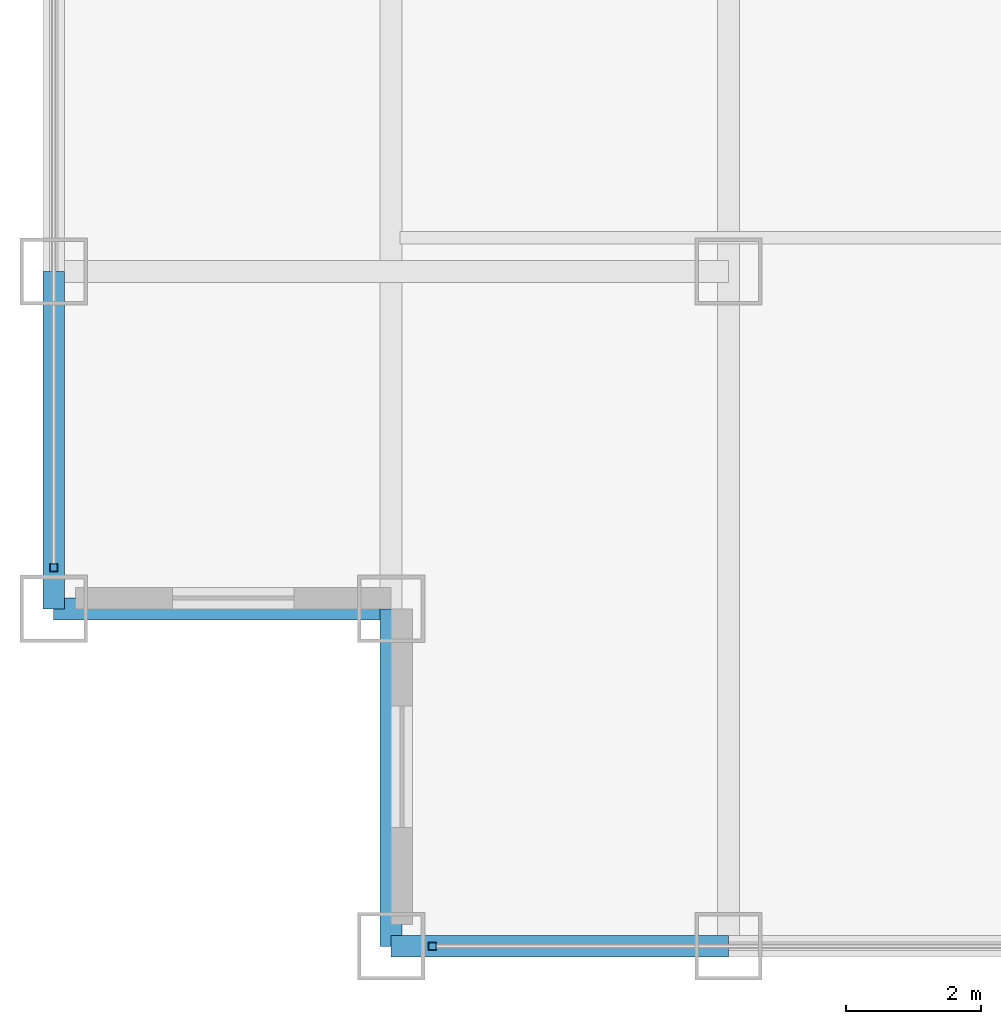
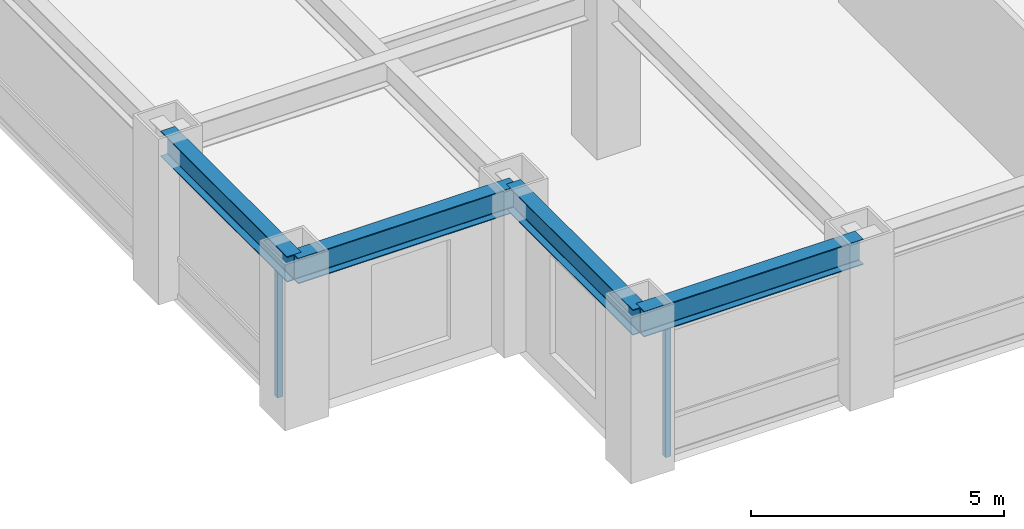
# One storey, part 2 of 25: 4 beams, 2 members, 2 elements without a shape of their own.
"""IFC4 building model written with IfcOpenShell, lengths in metres."""

import ifcopenshell
import ifcopenshell.guid

model = None  # the IFC model being written
_history = None  # IfcOwnerHistory: only IFC2X3 demands one
_inside = {}  # id of a spatial element -> (the spatial element, [elements in it])
_under = {}  # id of a project, library or spatial element -> (it, [spatial elements below it])
_declared = {}  # id of a project -> (the project, [libraries it declares])
_typed = {}  # id of a type object -> (the type object, [elements of that type])
_made_of = {}  # id of a material, layer set ... -> (it, [elements and type objects made of it])


def new_model(schema):
    """Start an empty IFC model of exactly this schema.

    Asked for "IFC4X3", IfcOpenShell would pick the latest addendum, in which some entities
    have other attributes; the version numbers below select the first issue.
    IFC2X3 requires an IfcOwnerHistory on every rooted entity: one is made here for all.
    """
    global model, _history
    if schema == "IFC4X3":
        model = ifcopenshell.file(schema_version=(4, 3, 0, 0))
    else:
        model = ifcopenshell.file(schema=schema)
    _inside.clear()
    _under.clear()
    _declared.clear()
    _typed.clear()
    _made_of.clear()
    _history = None
    if model.schema == "IFC2X3":
        org = make("IfcOrganization", Name="unknown")
        user = make(
            "IfcPersonAndOrganization",
            ThePerson=make("IfcPerson", FamilyName="unknown"),
            TheOrganization=org,
        )
        app = make(
            "IfcApplication",
            ApplicationDeveloper=org,
            Version="unknown",
            ApplicationFullName="unknown",
            ApplicationIdentifier="unknown",
        )
        _history = make(
            "IfcOwnerHistory",
            OwningUser=user,
            OwningApplication=app,
            ChangeAction="ADDED",
            CreationDate=0,
        )
    return model


def make(cls, **values):
    """One entity of the class cls with the attributes given. An attribute that is None is left unset."""
    return model.create_entity(
        cls, **{name: value for name, value in values.items() if value is not None}
    )


def rooted(cls, **values):
    """An entity with a GlobalId (a new one), such as an element, a storey or a relation."""
    return make(cls, GlobalId=ifcopenshell.guid.new(), OwnerHistory=_history, **values)


def si_unit(unit_type, name, prefix=None):
    """IfcSIUnit, for example si_unit("LENGTHUNIT", "METRE", prefix="MILLI")."""
    return make("IfcSIUnit", UnitType=unit_type, Prefix=prefix, Name=name)


def assignment(units):
    """IfcUnitAssignment: the units of a project."""
    return None if units is None else make("IfcUnitAssignment", Units=units)


def point(xyz):
    """IfcCartesianPoint."""
    return None if xyz is None else make("IfcCartesianPoint", Coordinates=xyz)


def direction(xyz):
    """IfcDirection."""
    return None if xyz is None else make("IfcDirection", DirectionRatios=xyz)


def frame(location, z_axis=None, x_axis=None):
    """IfcAxis2Placement3D, a coordinate frame: its origin and axes. An axis left out is left unset."""
    return make(
        "IfcAxis2Placement3D",
        Location=point(location),
        Axis=direction(z_axis),
        RefDirection=direction(x_axis),
    )


def frame_2d(location, x_axis=None):
    """IfcAxis2Placement2D, a coordinate frame in the plane: its origin and x axis."""
    return make(
        "IfcAxis2Placement2D", Location=point(location), RefDirection=direction(x_axis)
    )


def origin():
    """The frame at (0, 0, 0) with its axes left unset."""
    return frame((0.0, 0.0, 0.0))


def origin_2d():
    """The frame at (0, 0) in the plane with its x axis left unset."""
    return frame_2d((0.0, 0.0))


def place(relative_to, where):
    """IfcLocalPlacement: puts the frame where relative to a parent placement (None: the world)."""
    return make(
        "IfcLocalPlacement", PlacementRelTo=relative_to, RelativePlacement=where
    )


def context(
    kind, dimensions, precision=None, world=None, true_north=None, identifier=None
):
    """IfcGeometricRepresentationContext, for example the 3D "Model" context."""
    return make(
        "IfcGeometricRepresentationContext",
        ContextIdentifier=identifier,
        ContextType=kind,
        CoordinateSpaceDimension=dimensions,
        Precision=precision,
        WorldCoordinateSystem=world,
        TrueNorth=true_north,
    )


def subcontext(parent, identifier, kind, view, scale=None):
    """IfcGeometricRepresentationSubContext, for example "Body" below "Model"."""
    return make(
        "IfcGeometricRepresentationSubContext",
        ContextIdentifier=identifier,
        ContextType=kind,
        ParentContext=parent,
        TargetScale=scale,
        TargetView=view,
    )


def project(units=None, contexts=None):
    """IfcProject with its units and contexts."""
    return rooted(
        "IfcProject",
        Name="project",
        RepresentationContexts=contexts,
        UnitsInContext=assignment(units),
    )


def spatial(cls, under=None, at=None, **own):
    """A site, building, storey or space (cls), placed at a placement, below another one or the project."""
    s = rooted(cls, ObjectPlacement=at, **own)
    if under is not None:
        _under.setdefault(under.id(), (under, []))[1].append(s)
    return s


def profile(cls, at=None, kind="AREA", **sizes):
    """A parametric profile (cls). Its sizes go by their IFC names, for example OverallWidth=200.0."""
    return make(cls, ProfileType=kind, Position=at, **sizes)


def hollow_rectangle(**sizes):
    """IfcRectangleHollowProfileDef."""
    return profile("IfcRectangleHollowProfileDef", **sizes)


def i_section(**sizes):
    """IfcIShapeProfileDef."""
    return profile("IfcIShapeProfileDef", **sizes)


def extrude(swept, where, along, depth):
    """IfcExtrudedAreaSolid: the profile swept, set in the frame where, extruded along a direction by depth."""
    return make(
        "IfcExtrudedAreaSolid",
        SweptArea=swept,
        Position=where,
        ExtrudedDirection=direction(along),
        Depth=depth,
    )


def shape(context_of_items, identifier, shape_type, items):
    """IfcShapeRepresentation: the items that make up one representation, for example the "Body"."""
    return make(
        "IfcShapeRepresentation",
        ContextOfItems=context_of_items,
        RepresentationIdentifier=identifier,
        RepresentationType=shape_type,
        Items=items,
    )


def source(mapping_origin, context_of_items, identifier, shape_type, items):
    """IfcRepresentationMap: a shape defined once, which mapped items show again and again."""
    return make(
        "IfcRepresentationMap",
        MappingOrigin=mapping_origin,
        MappedRepresentation=shape(context_of_items, identifier, shape_type, items),
    )


def transform(
    local_origin,
    x_axis=None,
    y_axis=None,
    z_axis=None,
    scale=None,
    scale2=None,
    scale3=None,
    uniform=True,
):
    """IfcCartesianTransformationOperator3D, or its non-uniform kind. x_axis, y_axis, z_axis: its Axis1, 2, 3."""
    if uniform:
        return make(
            "IfcCartesianTransformationOperator3D",
            Axis1=direction(x_axis),
            Axis2=direction(y_axis),
            LocalOrigin=point(local_origin),
            Scale=scale,
            Axis3=direction(z_axis),
        )
    return make(
        "IfcCartesianTransformationOperator3DnonUniform",
        Axis1=direction(x_axis),
        Axis2=direction(y_axis),
        LocalOrigin=point(local_origin),
        Scale=scale,
        Axis3=direction(z_axis),
        Scale2=scale2,
        Scale3=scale3,
    )


def mapped(mapping_source, mapping_target):
    """IfcMappedItem: shows the shape of a source again, moved by a transform."""
    return make(
        "IfcMappedItem", MappingSource=mapping_source, MappingTarget=mapping_target
    )


def material(Name=None, Category=None):
    """IfcMaterial."""
    return make("IfcMaterial", Name=Name, Category=Category)


def material_profile(
    of_material, cross_section, Name=None, Category=None, Priority=None
):
    """IfcMaterialProfile: a cross section and its material."""
    return make(
        "IfcMaterialProfile",
        Name=Name,
        Material=of_material,
        Profile=cross_section,
        Priority=Priority,
        Category=Category,
    )


def profile_set(profiles, Name=None, composite=None):
    """IfcMaterialProfileSet."""
    return make(
        "IfcMaterialProfileSet",
        Name=Name,
        MaterialProfiles=profiles,
        CompositeProfile=composite,
    )


def made_of(thing, what):
    """Note that an element or type object is made of a material, layer set ...; save() writes the relation."""
    if what is not None:
        _made_of.setdefault(what.id(), (what, []))[1].append(thing)
    return thing


def type_object(cls, material=None, **own):
    """A type object (cls), such as IfcWallType, which elements share."""
    return made_of(rooted(cls, **own), material)


def element(
    cls,
    number,
    at=None,
    inside=None,
    cuts=None,
    type_object=None,
    material=None,
    context=None,
    identifier="Body",
    shape_type=None,
    held_by="IfcProductDefinitionShape",
    body=None,
    shapes=None,
    **own,
):
    """One element of the class cls, such as IfcWall. Its Tag is "e" and its number.

    at: its placement. inside: the storey or other place that contains it. cuts: it is an
    opening in that element (IfcRelVoidsElement). A single representation is given by context,
    identifier, shape_type and body (its items); several are given by shapes. held_by: the class
    of the entity that holds the representations. save() writes the other relations.
    """
    e = rooted(cls, Tag="e%d" % number, ObjectPlacement=at, **own)
    if body is not None:
        shapes = [shape(context, identifier, shape_type, body)]
    if shapes is not None:
        e.Representation = make(held_by, Representations=shapes)
    if inside is not None:
        _inside.setdefault(inside.id(), (inside, []))[1].append(e)
    if cuts is not None:
        rooted(
            "IfcRelVoidsElement", RelatingBuildingElement=cuts, RelatedOpeningElement=e
        )
    if type_object is not None:
        _typed.setdefault(type_object.id(), (type_object, []))[1].append(e)
    return made_of(e, material)


def aggregate(whole, parts):
    """IfcRelAggregates: a whole, such as a stair, and the parts it consists of."""
    return rooted("IfcRelAggregates", RelatingObject=whole, RelatedObjects=parts)


def save(model, path):
    """Write the relations noted so far, then the file.

    IfcRelAggregates (storeys below a building ...), IfcRelContainedInSpatialStructure (elements
    in a storey), IfcRelDefinesByType, IfcRelAssociatesMaterial and IfcRelDeclares: one each for
    every whole, place, type object, material and project.
    """
    for whole, parts in _under.values():
        aggregate(whole, parts)
    for where, things in _inside.values():
        rooted(
            "IfcRelContainedInSpatialStructure",
            RelatedElements=things,
            RelatingStructure=where,
        )
    for kind, things in _typed.values():
        rooted("IfcRelDefinesByType", RelatedObjects=things, RelatingType=kind)
    for what, things in _made_of.values():
        rooted("IfcRelAssociatesMaterial", RelatedObjects=things, RelatingMaterial=what)
    for by, libraries in _declared.values():
        rooted("IfcRelDeclares", RelatingContext=by, RelatedDefinitions=libraries)
    model.write(path)


model = new_model("IFC4")

# Units and contexts
model_context = context("Model", 3, precision=1e-05, world=origin(), true_north=direction((0.0, 1.0)))
body_context = subcontext(model_context, "Body", "Model", "MODEL_VIEW")
ifc_project = project(units=[si_unit("LENGTHUNIT", "METRE"), si_unit("AREAUNIT", "SQUARE_METRE"), si_unit("VOLUMEUNIT", "CUBIC_METRE"), si_unit("PLANEANGLEUNIT", "RADIAN"), si_unit("MASSUNIT", "GRAM", prefix="KILO")], contexts=[model_context])

# Site, building, storey
site_placement = place(None, origin())
site = spatial("IfcSite", under=ifc_project, at=site_placement, CompositionType="ELEMENT")
building_placement = place(site_placement, origin())
building = spatial("IfcBuilding", under=site, at=building_placement, Name="Khorayat Bourse Tower", CompositionType="ELEMENT")
storey_placement = place(building_placement, frame((0.0, 0.0, 251.10009765625)))
storey = spatial("IfcBuildingStorey", under=building, at=storey_placement, Name="L59", CompositionType="ELEMENT", Elevation=251.10009765625)

# Beams
ifc_material_1 = material(Name="Steel ASTM A992 Grade 50", Category="steel")
ifc_material_profile_1 = material_profile(ifc_material_1, i_section(OverallWidth=0.324951171875, OverallDepth=0.615966796875, WebThickness=0.013916015625, FlangeThickness=0.021484375, FilletRadius=0.01611328125, at=origin_2d()), Name="W610X174")
ifc_profile_set_1 = profile_set([ifc_material_profile_1], Name="Steel ASTM A992 Grade 50")
beam_type = type_object("IfcBeamType", Name="BM-SPAN-610", PredefinedType="SPANDREL", material=ifc_profile_set_1)
shared_shape_1 = source(origin(), body_context, "Body", "SweptSolid", [
    extrude(i_section(OverallWidth=0.324951171875, OverallDepth=0.615966796875, WebThickness=0.013916015625, FlangeThickness=0.021484375, FilletRadius=0.01611328125, at=origin_2d()), origin(), (0.0, 0.0, 1.0), 5.0),
])
for number, where, z_axis, x_axis, name in (
    (1, (-25.0, -30.0, 3.471923828125), (1.0, 0.0, 0.0), (0.0, 1.0, 0.0), "L59 BM-SPAN-610 BM-L59-SPN-024"),
    (2, (-30.0, -25.0, 3.471923828125), (0.0, 1.0, 0.0), (-1.0, 0.0, 0.0), "L59 BM-SPAN-610 BM-L59-SPN-061"),
    (3, (-30.0, -25.0, 3.471923828125), (1.0, 0.0, 0.0), (0.0, 1.0, 0.0), "L59 BM-SPAN-610 BM-L59-SPN-062"),
    (4, (-25.0, -30.0, 3.471923828125), (0.0, 1.0, 0.0), (-1.0, 0.0, 0.0), "L59 BM-SPAN-610 BM-L59-SPN-063"),
):
    element("IfcBeam", number, at=place(storey_placement, frame(where, z_axis=z_axis, x_axis=x_axis)), inside=storey, type_object=beam_type, Name=name, PredefinedType="SPANDREL", context=body_context, shape_type="MappedRepresentation", body=[
        mapped(shared_shape_1, transform((0.0, 0.0, 0.0), scale=1.0)),
    ])

# Curtain wall, member
ifc_material_2 = material(Name="Aluminium EN AW-6063 T6", Category="aluminium")
curtain_wall_type = type_object("IfcCurtainWallType", Name="CW-SYS-03", PredefinedType="NOTDEFINED", material=ifc_material_2)
curtain_wall_1_placement = place(storey_placement, origin())
curtain_wall_1 = element("IfcCurtainWall", 5, at=curtain_wall_1_placement, inside=storey, type_object=curtain_wall_type, Name="L59 Curtain Wall CW-L59-S1", PredefinedType="NOTDEFINED")
ifc_material_profile_2 = material_profile(ifc_material_2, hollow_rectangle(XDim=0.1201171875, YDim=0.1201171875, WallThickness=0.0048828125, at=origin_2d()), Name="ALU 120x120x5")
ifc_profile_set_2 = profile_set([ifc_material_profile_2], Name="Aluminium EN AW-6063 T6")
member_type = type_object("IfcMemberType", Name="CWM-VERT-120", PredefinedType="MULLION", material=ifc_profile_set_2)
shared_shape_2 = source(origin(), body_context, "Body", "SweptSolid", [
    extrude(hollow_rectangle(XDim=0.1201171875, YDim=0.1201171875, WallThickness=0.0048828125, at=origin_2d()), origin(), (0.0, 0.0, 1.0), 3.1298828125),
])
member_1_placement = place(storey_placement, frame((-24.389892578125, -30.0, 0.0), z_axis=(0.0, 0.0, 1.0), x_axis=(0.0, 1.0, 0.0)))
member_1 = element("IfcMember", 6, at=member_1_placement, type_object=member_type, Name="CW-L59-S1 Vertical Mullion 1", PredefinedType="MULLION", context=body_context, shape_type="MappedRepresentation", body=[
    mapped(shared_shape_2, transform((0.0, 0.0, 0.0), scale=1.0)),
])
aggregate(curtain_wall_1, [member_1])

curtain_wall_2_placement = place(storey_placement, origin())
curtain_wall_2 = element("IfcCurtainWall", 7, at=curtain_wall_2_placement, inside=storey, type_object=curtain_wall_type, Name="L59 Curtain Wall CW-L59-W1", PredefinedType="NOTDEFINED")
member_2_placement = place(storey_placement, frame((-30.0, -24.389892578125, 0.0), z_axis=(0.0, 0.0, 1.0), x_axis=(-1.0, 0.0, 0.0)))
member_2 = element("IfcMember", 8, at=member_2_placement, type_object=member_type, Name="CW-L59-W1 Vertical Mullion 1", PredefinedType="MULLION", context=body_context, shape_type="MappedRepresentation", body=[
    mapped(shared_shape_2, transform((0.0, 0.0, 0.0), scale=1.0)),
])
aggregate(curtain_wall_2, [member_2])

save(model, "model.ifc")
